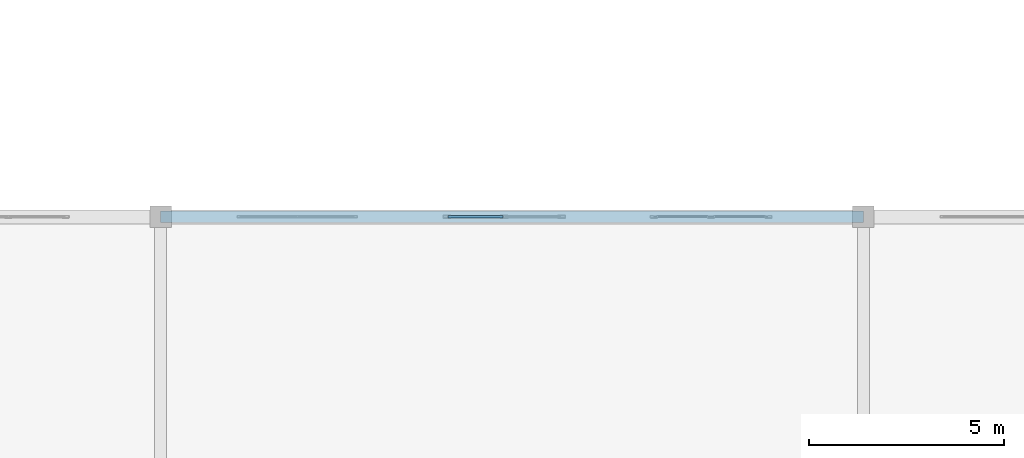
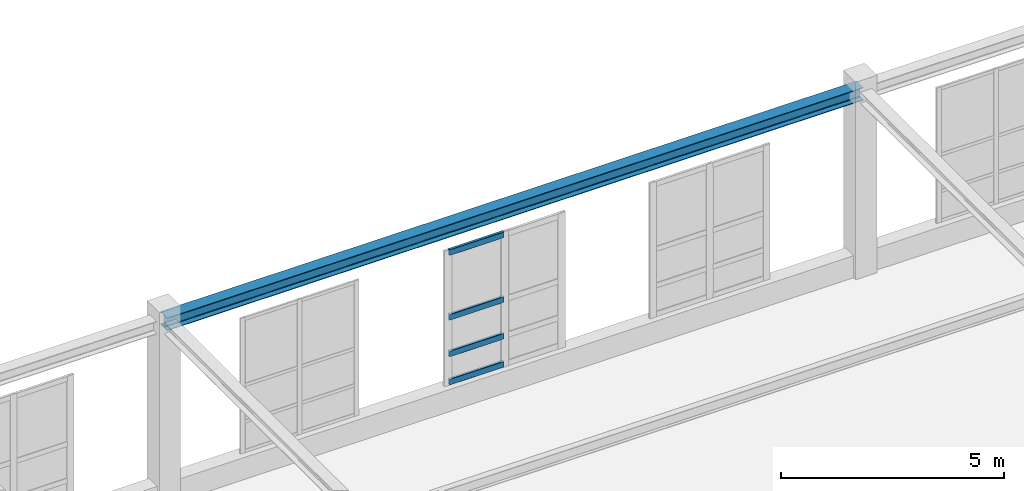
# One storey, part 84 of 197: 4 members, 1 beam, 1 element without a shape of its own.
"""IFC4 building model written with IfcOpenShell, lengths in metres."""

from ifc_helpers import new_model, si_unit, derived_unit, direction, frame, origin, origin_2d, place, context, subcontext, project, spatial, hollow_rectangle, i_section, extrude, material, layer, layer_set, material_profile, profile_set, type_object, element, aggregate, save


model = new_model("IFC4")

# Units and contexts
model_context = context("Model", 3, precision=1e-05, world=origin(), true_north=direction((0.0, 1.0)))
body_context = subcontext(model_context, "Body", "Model", "MODEL_VIEW")
ifc_project = project(units=[si_unit("LENGTHUNIT", "METRE"), si_unit("AREAUNIT", "SQUARE_METRE"), si_unit("VOLUMEUNIT", "CUBIC_METRE"), si_unit("PLANEANGLEUNIT", "RADIAN"), si_unit("MASSUNIT", "GRAM", prefix="KILO"), derived_unit("THERMALTRANSMITTANCEUNIT", [(si_unit("POWERUNIT", "WATT"), 1), (si_unit("LENGTHUNIT", "METRE"), -2), (si_unit("THERMODYNAMICTEMPERATUREUNIT", "KELVIN"), -1)])], contexts=[model_context])

# Site, building, storey
site_placement = place(None, origin())
site = spatial("IfcSite", under=ifc_project, at=site_placement, CompositionType="ELEMENT")
building_placement = place(site_placement, origin())
building = spatial("IfcBuilding", under=site, at=building_placement, Name="Almenara Railside Exhibition Hall", CompositionType="ELEMENT")
storey_placement = place(building_placement, frame((0.0, 0.0, 5.39990234375)))
storey = spatial("IfcBuildingStorey", under=building, at=storey_placement, Name="L01", CompositionType="ELEMENT", Elevation=5.39990234375)

# Curtain wall, members
ifc_material_1 = material(Name="Bronze-anodised aluminium and low-E double glazing", Category="aluminium")
ifc_layer = layer(ifc_material_1, 0.179931640625, Name="Bronze-anodised aluminium and low-E double glazing")
ifc_layer_set = layer_set([ifc_layer], Name="Bronze-anodised aluminium and low-E double glazing")
curtain_wall_type = type_object("IfcCurtainWallType", Name="Courtyard North Galeria Curtain Wall 3000x3700", PredefinedType="NOTDEFINED", material=ifc_layer_set)
curtain_wall_placement = place(storey_placement, origin())
curtain_wall = element("IfcCurtainWall", 1, at=curtain_wall_placement, inside=storey, type_object=curtain_wall_type, Name="Curtain wall CW-CY1-131", PredefinedType="NOTDEFINED")
ifc_material_2 = material(Name="Bronze-anodised aluminium", Category="aluminium")
ifc_material_profile_1 = material_profile(ifc_material_2, hollow_rectangle(XDim=0.070068359375, YDim=0.159912109375, WallThickness=0.00390625, InnerFilletRadius=0.00390625, OuterFilletRadius=0.008056640625, at=origin_2d()), Name="ALU-TRN 70x160x4")
ifc_profile_set_1 = profile_set([ifc_material_profile_1], Name="Bronze-anodised aluminium")
member_type = type_object("IfcMemberType", Name="Curtain Wall Transom 70x160x4", PredefinedType="USERDEFINED", material=ifc_profile_set_1)
member_1_placement = place(storey_placement, frame((91.362060546875, 108.0, 0.68017578125), z_axis=(1.0, 0.0, 0.0), x_axis=(0.0, 1.0, 0.0)))
member_1 = element("IfcMember", 2, at=member_1_placement, type_object=member_type, Name="CW-CY1-131 transom 1.1", ObjectType="TRANSOM", PredefinedType="USERDEFINED", context=body_context, shape_type="SweptSolid", body=[
    extrude(hollow_rectangle(XDim=0.070068359375, YDim=0.159912109375, WallThickness=0.00390625, InnerFilletRadius=0.00390625, OuterFilletRadius=0.008056640625, at=origin_2d()), origin(), (0.0, 0.0, 1.0), 1.410888671875),
])
member_2_placement = place(storey_placement, frame((91.362060546875, 108.0, 1.4501953125), z_axis=(1.0, 0.0, 0.0), x_axis=(0.0, 1.0, 0.0)))
member_2 = element("IfcMember", 3, at=member_2_placement, type_object=member_type, Name="CW-CY1-131 transom 1.2", ObjectType="TRANSOM", PredefinedType="USERDEFINED", context=body_context, shape_type="SweptSolid", body=[
    extrude(hollow_rectangle(XDim=0.070068359375, YDim=0.159912109375, WallThickness=0.00390625, InnerFilletRadius=0.00390625, OuterFilletRadius=0.008056640625, at=origin_2d()), origin(), (0.0, 0.0, 1.0), 1.410888671875),
])
member_3_placement = place(storey_placement, frame((91.362060546875, 108.0, 2.4501953125), z_axis=(1.0, 0.0, 0.0), x_axis=(0.0, 1.0, 0.0)))
member_3 = element("IfcMember", 4, at=member_3_placement, type_object=member_type, Name="CW-CY1-131 transom 1.3", ObjectType="TRANSOM", PredefinedType="USERDEFINED", context=body_context, shape_type="SweptSolid", body=[
    extrude(hollow_rectangle(XDim=0.070068359375, YDim=0.159912109375, WallThickness=0.00390625, InnerFilletRadius=0.00390625, OuterFilletRadius=0.008056640625, at=origin_2d()), origin(), (0.0, 0.0, 1.0), 1.410888671875),
])
member_4_placement = place(storey_placement, frame((91.362060546875, 108.0, 4.22021484375), z_axis=(1.0, 0.0, 0.0), x_axis=(0.0, 1.0, 0.0)))
member_4 = element("IfcMember", 5, at=member_4_placement, type_object=member_type, Name="CW-CY1-131 transom 1.4", ObjectType="TRANSOM", PredefinedType="USERDEFINED", context=body_context, shape_type="SweptSolid", body=[
    extrude(hollow_rectangle(XDim=0.070068359375, YDim=0.159912109375, WallThickness=0.00390625, InnerFilletRadius=0.00390625, OuterFilletRadius=0.008056640625, at=origin_2d()), origin(), (0.0, 0.0, 1.0), 1.410888671875),
])
aggregate(curtain_wall, [member_1, member_2, member_3, member_4])

# Beam
ifc_material_3 = material(Name="Structural steel S355JR", Category="steel")
ifc_material_profile_2 = material_profile(ifc_material_3, i_section(OverallWidth=0.300048828125, OverallDepth=0.35009765625, WebThickness=0.010009765625, FlangeThickness=0.017578125, FilletRadius=0.027099609375, at=origin_2d()), Name="HEA 360")
ifc_profile_set_2 = profile_set([ifc_material_profile_2], Name="Structural steel S355JR")
beam_type = type_object("IfcBeamType", Name="Steel Concourse Frame Beam HEA 360 S355JR", PredefinedType="BEAM", material=ifc_profile_set_2)
beam_placement = place(storey_placement, frame((84.0, 108.0, 4.9111328125), z_axis=(1.0, 0.0, 0.0), x_axis=(0.0, 1.0, 0.0)))
element("IfcBeam", 6, at=beam_placement, inside=storey, type_object=beam_type, Name="Beam 0808", PredefinedType="BEAM", context=body_context, shape_type="SweptSolid", body=[
    extrude(i_section(OverallWidth=0.300048828125, OverallDepth=0.35009765625, WebThickness=0.010009765625, FlangeThickness=0.017578125, FilletRadius=0.027099609375, at=origin_2d()), origin(), (0.0, 0.0, 1.0), 18.0),
])

save(model, "model.ifc")
